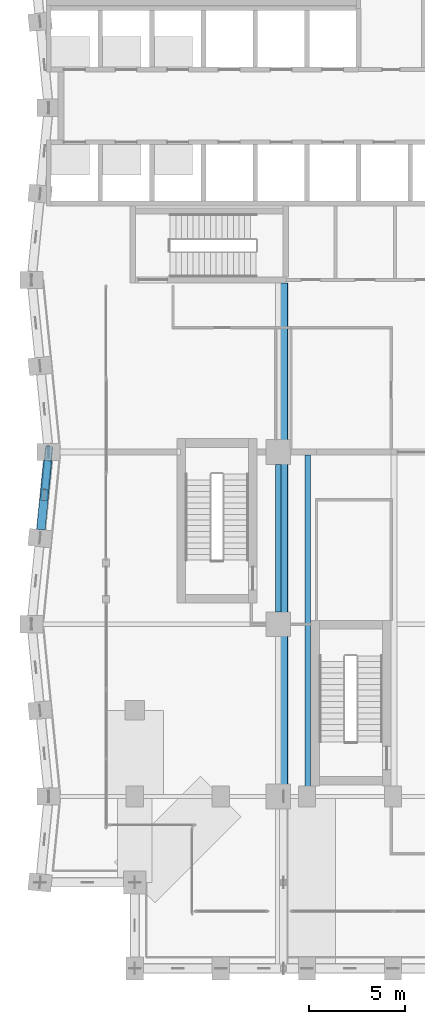
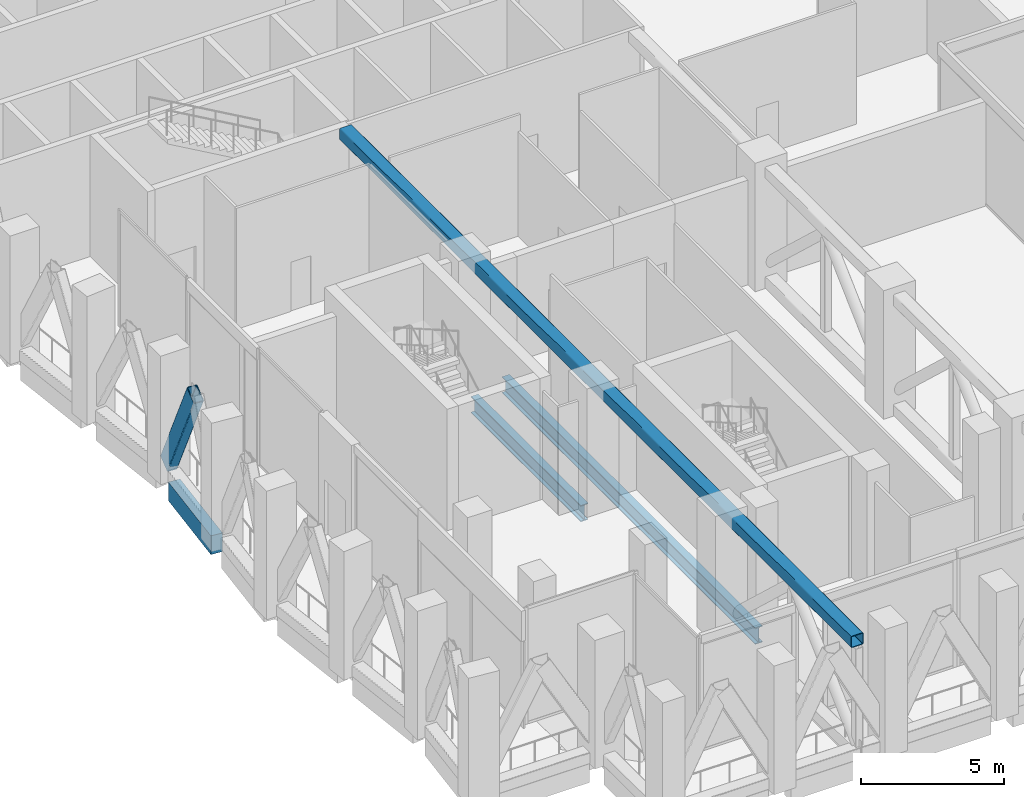
# One storey, part 6 of 37: 3 beams, 2 members.
"""IFC4 building model written with IfcOpenShell, lengths in metres."""

from ifc_helpers import new_model, si_unit, direction, frame, origin, origin_2d, place, context, subcontext, project, spatial, rectangle, hollow_rectangle, i_section, extrude, material, material_profile, profile_set, type_object, element, save


model = new_model("IFC4")

# Units and contexts
model_context = context("Model", 3, precision=1e-05, world=origin(), true_north=direction((0.0, 1.0)))
body_context = subcontext(model_context, "Body", "Model", "MODEL_VIEW")
ifc_project = project(units=[si_unit("LENGTHUNIT", "METRE"), si_unit("AREAUNIT", "SQUARE_METRE"), si_unit("VOLUMEUNIT", "CUBIC_METRE"), si_unit("PLANEANGLEUNIT", "RADIAN"), si_unit("MASSUNIT", "GRAM", prefix="KILO")], contexts=[model_context])

# Site, building, storey
site_placement = place(None, origin())
site = spatial("IfcSite", under=ifc_project, at=site_placement, CompositionType="ELEMENT")
building_placement = place(site_placement, origin())
building = spatial("IfcBuilding", under=site, at=building_placement, Name="Brondeck Convention Tower", CompositionType="ELEMENT")
storey_placement = place(building_placement, frame((0.0, 0.0, 137.89990234375)))
storey = spatial("IfcBuildingStorey", under=building, at=storey_placement, Name="L33", CompositionType="ELEMENT", Elevation=137.89990234375)

# Member
ifc_material_1 = material(Name="Steel S460", Category="steel")
ifc_material_profile_1 = material_profile(ifc_material_1, hollow_rectangle(XDim=0.39990234375, YDim=0.699951171875, WallThickness=0.030029296875, InnerFilletRadius=0.030029296875, OuterFilletRadius=0.06005859375, at=origin_2d()), Name="RHS 700x400x30")
ifc_profile_set_1 = profile_set([ifc_material_profile_1], Name="Steel S460")
member_type_1 = type_object("IfcMemberType", Name="Chevron brace RHS 700x400x30", PredefinedType="BRACE", material=ifc_profile_set_1)
member_1_placement = place(storey_placement, frame((0.0, 27.0, 0.5), z_axis=(-0.045912949215, -0.458930303654, 0.887285172581), x_axis=(0.995032913332, -0.099546478526, 0.0)))
element("IfcMember", 1, at=member_1_placement, inside=storey, type_object=member_type_1, Name="Belt truss BT-33-54 diagonal", PredefinedType="BRACE", context=body_context, shape_type="SweptSolid", body=[
    extrude(hollow_rectangle(XDim=0.39990234375, YDim=0.699951171875, WallThickness=0.030029296875, InnerFilletRadius=0.030029296875, OuterFilletRadius=0.06005859375, at=origin_2d()), origin(), (0.0, 0.0, 1.0), 4.902587890625),
])

# Beams
ifc_material_2 = material(Name="Steel S355", Category="steel")
ifc_material_profile_2 = material_profile(ifc_material_2, i_section(OverallWidth=0.300048828125, OverallDepth=0.699951171875, WebThickness=0.01708984375, FlangeThickness=0.031982421875, FilletRadius=0.027099609375, at=origin_2d()), Name="HEB 700")
ifc_profile_set_2 = profile_set([ifc_material_profile_2], Name="Steel S355")
beam_type_1 = type_object("IfcBeamType", Name="Girder HEB 700", PredefinedType="BEAM", material=ifc_profile_set_2)
beam_1_placement = place(storey_placement, frame((12.0, 26.35009765625, -0.7998046875), z_axis=(0.0, -1.0, 0.0), x_axis=(1.0, 0.0, 0.0)))
element("IfcBeam", 2, at=beam_1_placement, inside=storey, type_object=beam_type_1, Name="STR-GR-L33-014", PredefinedType="BEAM", context=body_context, shape_type="SweptSolid", body=[
    extrude(i_section(OverallWidth=0.300048828125, OverallDepth=0.699951171875, WebThickness=0.01708984375, FlangeThickness=0.031982421875, FilletRadius=0.027099609375, at=origin_2d()), origin(), (0.0, 0.0, 1.0), 7.7001953125),
])
beam_2_placement = place(storey_placement, frame((13.550048828125, 9.110107421875, -0.7998046875), z_axis=(0.0, 1.0, 0.0), x_axis=(-1.0, 0.0, 0.0)))
element("IfcBeam", 3, at=beam_2_placement, inside=storey, type_object=beam_type_1, Name="STR-GR-L33-026", PredefinedType="BEAM", context=body_context, shape_type="SweptSolid", body=[
    extrude(i_section(OverallWidth=0.300048828125, OverallDepth=0.699951171875, WebThickness=0.01708984375, FlangeThickness=0.031982421875, FilletRadius=0.027099609375, at=origin_2d()), origin(), (0.0, 0.0, 1.0), 17.739990234375),
])
ifc_material_3 = material(Name="Concrete C70/85", Category="concrete")
ifc_material_profile_3 = material_profile(ifc_material_3, rectangle(XDim=0.449951171875, YDim=0.800048828125, at=origin_2d()), Name="Precast spandrel 450x800 Concrete C70/85")
ifc_profile_set_3 = profile_set([ifc_material_profile_3], Name="Concrete C70/85")
beam_type_2 = type_object("IfcBeamType", Name="Precast spandrel 450x800 Concrete C70/85", PredefinedType="SPANDREL", material=ifc_profile_set_3)
beam_3_placement = place(storey_placement, frame((-0.044921875, 26.550048828125, -0.39990234375), z_axis=(-0.099537103649, -0.995033851182, 0.0), x_axis=(0.995033851182, -0.099537103649, 0.0)))
element("IfcBeam", 4, at=beam_3_placement, inside=storey, type_object=beam_type_2, Name="STR-SP-L33-054", PredefinedType="SPANDREL", context=body_context, shape_type="SweptSolid", body=[
    extrude(rectangle(XDim=0.449951171875, YDim=0.800048828125, at=origin_2d()), origin(), (0.0, 0.0, 1.0), 3.620361328125),
])

# Member
ifc_material_profile_4 = material_profile(ifc_material_1, hollow_rectangle(XDim=0.5, YDim=0.5, WallThickness=0.02490234375, InnerFilletRadius=0.02490234375, OuterFilletRadius=0.050048828125, at=origin_2d()), Name="RHS 500x500x25")
ifc_profile_set_4 = profile_set([ifc_material_profile_4], Name="Steel S460")
member_type_2 = type_object("IfcMemberType", Name="Truss chord RHS 500x500x25", PredefinedType="CHORD", material=ifc_profile_set_4)
member_2_placement = place(storey_placement, frame((12.27001953125, 35.85009765625, 4.9501953125), z_axis=(0.0, -1.0, 0.0), x_axis=(1.0, 0.0, 0.0)))
element("IfcMember", 5, at=member_2_placement, inside=storey, type_object=member_type_2, Name="Outrigger truss OT-33-B1 chord", PredefinedType="CHORD", context=body_context, shape_type="SweptSolid", body=[
    extrude(hollow_rectangle(XDim=0.5, YDim=0.5, WallThickness=0.02490234375, InnerFilletRadius=0.02490234375, OuterFilletRadius=0.050048828125, at=origin_2d()), origin(), (0.0, 0.0, 1.0), 35.85009765625),
])

save(model, "model.ifc")
